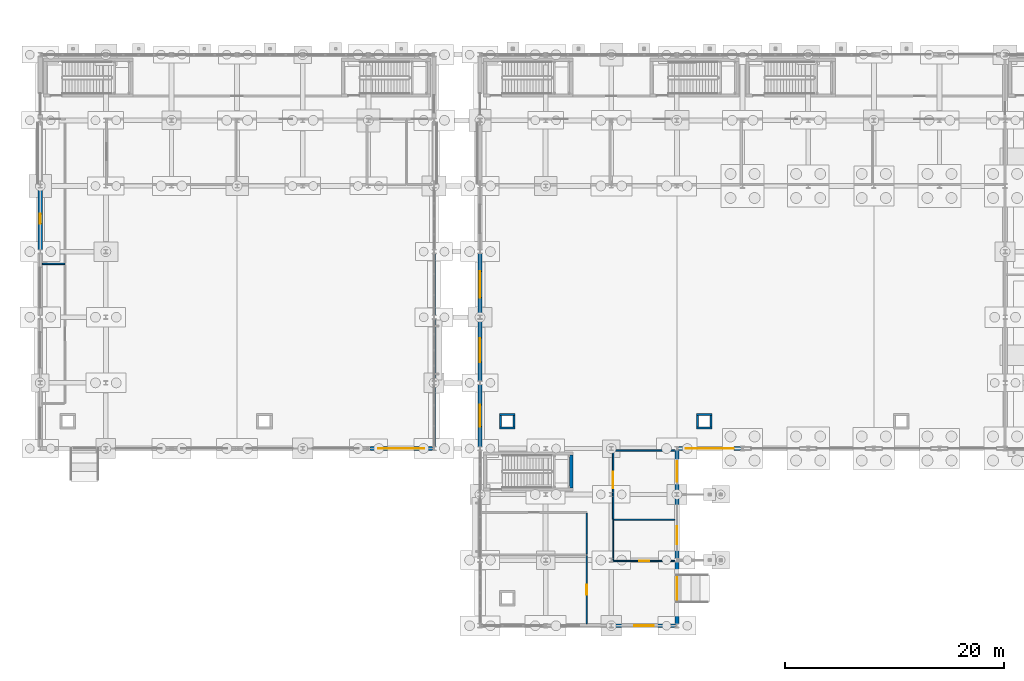
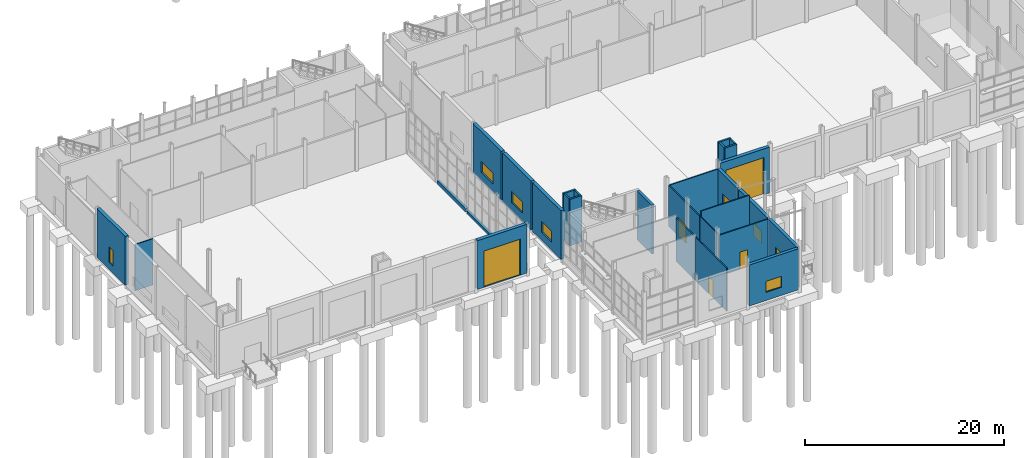
# One storey, part 93 of 120: 30 walls, 7 windows, 6 doors, 13 openings.
"""IFC4 building model written with IfcOpenShell, lengths in metres."""

from ifc_helpers import new_model, si_unit, direction, frame, frame_2d, origin, place, context, subcontext, project, spatial, rectangle, extrude, material, layer, layer_set, type_object, element, fill, save


model = new_model("IFC4")

# Units and contexts
model_context = context("Model", 3, precision=1e-05, world=origin(), true_north=direction((0.0, 1.0)))
body_context = subcontext(model_context, "Body", "Model", "MODEL_VIEW")
ifc_project = project(units=[si_unit("LENGTHUNIT", "METRE"), si_unit("AREAUNIT", "SQUARE_METRE"), si_unit("VOLUMEUNIT", "CUBIC_METRE"), si_unit("PLANEANGLEUNIT", "RADIAN"), si_unit("MASSUNIT", "GRAM", prefix="KILO")], contexts=[model_context])

# Site, building, storey
site_placement = place(None, origin())
site = spatial("IfcSite", under=ifc_project, at=site_placement, CompositionType="ELEMENT")
building_placement = place(site_placement, origin())
building = spatial("IfcBuilding", under=site, at=building_placement, Name="Siltcreek Boulevard Central Fire Station", CompositionType="ELEMENT")
storey_placement = place(building_placement, origin())
storey = spatial("IfcBuildingStorey", under=building, at=storey_placement, Name="L01", CompositionType="ELEMENT", Elevation=0.0)

# Wall
ifc_material_1 = material(Name="Concrete C40/50", Category="concrete")
ifc_layer_1 = layer(ifc_material_1, 0.280029296875, Name="Concrete C40/50")
ifc_layer_set_1 = layer_set([ifc_layer_1], Name="Concrete C40/50")
wall_type_1 = type_object("IfcWallType", Name="CW_SHEAR280", PredefinedType="SHEAR", material=ifc_layer_set_1)
wall_1_placement = place(storey_placement, frame((50.340087890625, 14.39990234375, 0.0), z_axis=(0.0, 0.0, 1.0), x_axis=(0.0, 1.0, 0.0)))
element("IfcWall", 1, at=wall_1_placement, inside=storey, type_object=wall_type_1, Name="L01 ST-V1P stair enclosure east shear wall", PredefinedType="SHEAR", context=body_context, shape_type="SweptSolid", body=[
    extrude(rectangle(XDim=3.0, YDim=0.280029296875, at=frame_2d((1.5, 0.0))), origin(), (0.0, 0.0, 1.0), 6.0),
])

# Wall, opening, window
ifc_material_2 = material(Name="Terracotta brick rainscreen on steel stud", Category="masonry")
ifc_layer_2 = layer(ifc_material_2, 0.35009765625, Name="Terracotta brick rainscreen on steel stud")
ifc_layer_set_2 = layer_set([ifc_layer_2], Name="Terracotta brick rainscreen on steel stud")
wall_type_2 = type_object("IfcWallType", Name="EW_BRICK350", PredefinedType="STANDARD", material=ifc_layer_set_2)
wall_2_placement = place(storey_placement, frame((54.14501953125, 1.800048828125, 0.0), z_axis=(0.0, 0.0, 1.0), x_axis=(1.0, 0.0, 0.0)))
wall_2 = element("IfcWall", 2, at=wall_2_placement, inside=storey, type_object=wall_type_2, Name="L01 V1 exterior insulated rainscreen wall WL-EXT-L01-0003", PredefinedType="STANDARD", context=body_context, shape_type="SweptSolid", body=[
    extrude(rectangle(XDim=5.7099609375, YDim=0.35009765625, at=frame_2d((2.85498046875, 0.0))), origin(), (0.0, 0.0, 1.0), 5.034912109375),
])
opening_1_placement = place(wall_2_placement, frame((1.955078125, 0.0, 1.0)))
opening_1 = element("IfcOpeningElement", 3, at=opening_1_placement, cuts=wall_2, Name="Opening WN08", PredefinedType="OPENING", context=body_context, shape_type="SweptSolid", body=[
    extrude(rectangle(XDim=1.800048828125, YDim=1.360107421875, at=frame_2d((0.89990234375, 0.68017578125))), frame((0.0, 0.18505859375, 0.0), z_axis=(0.0, -1.0, 0.0), x_axis=(1.0, 0.0, 0.0)), (0.0, 0.0, 1.0), 0.3701171875),
])
ifc_material_3 = material(Name="Thermally broken aluminum frame with low-E insulated glass", Category="aluminium")
window_type_1 = type_object("IfcWindowType", Name="WN_PB_180X136", PartitioningType="SINGLE_PANEL", PredefinedType="WINDOW", material=ifc_material_3)
window_1_placement = place(opening_1_placement, origin())
window_1 = element("IfcWindow", 4, at=window_1_placement, inside=storey, type_object=window_type_1, Name="L01 V1 exterior window WN-0002", OverallHeight=1.360107421875, OverallWidth=1.800048828125, PartitioningType="SINGLE_PANEL", PredefinedType="WINDOW", context=body_context, shape_type="SweptSolid", body=[
    extrude(rectangle(XDim=1.800048828125, YDim=1.360107421875, at=frame_2d((0.89990234375, 0.68017578125))), frame((0.0, 0.030029296875, 0.0), z_axis=(0.0, -1.0, 0.0), x_axis=(1.0, 0.0, 0.0)), (0.0, 0.0, 1.0), 0.06005859375),
])
fill(opening_1, window_1)

# Wall, opening, door
wall_3_placement = place(storey_placement, frame((60.0, 1.945068359375, 0.0), z_axis=(0.0, 0.0, 1.0), x_axis=(0.0, 1.0, 0.0)))
wall_3 = element("IfcWall", 5, at=wall_3_placement, inside=storey, type_object=wall_type_2, Name="L01 V1 exterior insulated rainscreen wall WL-EXT-L01-0026", PredefinedType="STANDARD", context=body_context, shape_type="SweptSolid", body=[
    extrude(rectangle(XDim=5.7099609375, YDim=0.35009765625, at=frame_2d((2.85498046875, 0.0))), origin(), (0.0, 0.0, 1.0), 5.0439453125),
])
opening_2_placement = place(wall_3_placement, frame((2.22998046875, 0.0, 0.0)))
opening_2 = element("IfcOpeningElement", 6, at=opening_2_placement, cuts=wall_3, Name="Opening ED-109", PredefinedType="OPENING", context=body_context, shape_type="SweptSolid", body=[
    extrude(rectangle(XDim=2.050048828125, YDim=2.449951171875, at=frame_2d((1.02490234375, 1.22509765625))), frame((0.0, 0.18505859375, 0.0), z_axis=(0.0, -1.0, 0.0), x_axis=(1.0, 0.0, 0.0)), (0.0, 0.0, 1.0), 0.3701171875),
])
ifc_material_4 = material(Name="Anodized aluminum glazed main entrance pair", Category="aluminium")
door_type_1 = type_object("IfcDoorType", Name="DR_EXT_205X245", OperationType="NOTDEFINED", PredefinedType="DOOR", material=ifc_material_4)
door_1_placement = place(opening_2_placement, frame((2.050048828125, 0.0, 0.0), z_axis=(0.0, 0.0, 1.0), x_axis=(-1.0, 0.0, 0.0)))
door_1 = element("IfcDoor", 7, at=door_1_placement, inside=storey, type_object=door_type_1, Name="Ground level pedestrian final exit door ED-109", OperationType="DOUBLE_DOOR_SINGLE_SWING", OverallHeight=2.449951171875, OverallWidth=2.050048828125, PredefinedType="DOOR", context=body_context, shape_type="SweptSolid", body=[
    extrude(rectangle(XDim=2.050048828125, YDim=2.449951171875, at=frame_2d((1.02490234375, 1.22509765625))), frame((0.0, 0.02490234375, 0.0), z_axis=(0.0, -1.0, 0.0), x_axis=(1.0, 0.0, 0.0)), (0.0, 0.0, 1.0), 0.050048828125),
])
fill(opening_2, door_1)

# Wall, opening, window
wall_4_placement = place(storey_placement, frame((60.0, 7.945068359375, 0.0), z_axis=(0.0, 0.0, 1.0), x_axis=(0.0, 1.0, 0.0)))
wall_4 = element("IfcWall", 8, at=wall_4_placement, inside=storey, type_object=wall_type_2, Name="L01 V1 exterior insulated rainscreen wall WL-EXT-L01-0027", PredefinedType="STANDARD", context=body_context, shape_type="SweptSolid", body=[
    extrude(rectangle(XDim=5.7099609375, YDim=0.35009765625, at=frame_2d((2.85498046875, 0.0))), origin(), (0.0, 0.0, 1.0), 5.0439453125),
])
opening_3_placement = place(wall_4_placement, frame((1.290771484375, 0.0, 1.0)))
opening_3 = element("IfcOpeningElement", 9, at=opening_3_placement, cuts=wall_4, Name="Opening WN13", PredefinedType="OPENING", context=body_context, shape_type="SweptSolid", body=[
    extrude(rectangle(XDim=1.64990234375, YDim=1.550048828125, at=frame_2d((0.824951171875, 0.77490234375))), frame((0.0, 0.18505859375, 0.0), z_axis=(0.0, -1.0, 0.0), x_axis=(1.0, 0.0, 0.0)), (0.0, 0.0, 1.0), 0.3701171875),
])
window_type_2 = type_object("IfcWindowType", Name="WN_PB_165X155", PartitioningType="SINGLE_PANEL", PredefinedType="WINDOW", material=ifc_material_3)
window_2_placement = place(opening_3_placement, origin())
window_2 = element("IfcWindow", 10, at=window_2_placement, inside=storey, type_object=window_type_2, Name="L01 V1 exterior window WN-0007", OverallHeight=1.550048828125, OverallWidth=1.64990234375, PartitioningType="SINGLE_PANEL", PredefinedType="WINDOW", context=body_context, shape_type="SweptSolid", body=[
    extrude(rectangle(XDim=1.64990234375, YDim=1.550048828125, at=frame_2d((0.824951171875, 0.77490234375))), frame((0.0, 0.030029296875, 0.0), z_axis=(0.0, -1.0, 0.0), x_axis=(1.0, 0.0, 0.0)), (0.0, 0.0, 1.0), 0.06005859375),
])
fill(opening_3, window_2)

wall_5_placement = place(storey_placement, frame((60.0, 13.945068359375, 0.0), z_axis=(0.0, 0.0, 1.0), x_axis=(0.0, 1.0, 0.0)))
wall_5 = element("IfcWall", 11, at=wall_5_placement, inside=storey, type_object=wall_type_2, Name="L01 V1 exterior insulated rainscreen wall WL-EXT-L01-0028", PredefinedType="STANDARD", context=body_context, shape_type="SweptSolid", body=[
    extrude(rectangle(XDim=3.909912109375, YDim=0.35009765625, at=frame_2d((1.955078125, 0.0))), origin(), (0.0, 0.0, 1.0), 5.0439453125),
])
opening_4_placement = place(wall_5_placement, frame((1.030029296875, 0.0, 1.0)))
opening_4 = element("IfcOpeningElement", 12, at=opening_4_placement, cuts=wall_5, Name="Opening WN14", PredefinedType="OPENING", context=body_context, shape_type="SweptSolid", body=[
    extrude(rectangle(XDim=1.85009765625, YDim=1.550048828125, at=frame_2d((0.925048828125, 0.77490234375))), frame((0.0, 0.18505859375, 0.0), z_axis=(0.0, -1.0, 0.0), x_axis=(1.0, 0.0, 0.0)), (0.0, 0.0, 1.0), 0.3701171875),
])
window_type_3 = type_object("IfcWindowType", Name="WN_PB_185X155", PartitioningType="SINGLE_PANEL", PredefinedType="WINDOW", material=ifc_material_3)
window_3_placement = place(opening_4_placement, origin())
window_3 = element("IfcWindow", 13, at=window_3_placement, inside=storey, type_object=window_type_3, Name="L01 V1 exterior window WN-0008", OverallHeight=1.550048828125, OverallWidth=1.85009765625, PartitioningType="SINGLE_PANEL", PredefinedType="WINDOW", context=body_context, shape_type="SweptSolid", body=[
    extrude(rectangle(XDim=1.85009765625, YDim=1.550048828125, at=frame_2d((0.925048828125, 0.77490234375))), frame((0.0, 0.030029296875, 0.0), z_axis=(0.0, -1.0, 0.0), x_axis=(1.0, 0.0, 0.0)), (0.0, 0.0, 1.0), 0.06005859375),
])
fill(opening_4, window_3)

# Wall, opening, door
ifc_material_5 = material(Name="Terracotta brick rainscreen on insulated CMU", Category="masonry")
ifc_layer_3 = layer(ifc_material_5, 0.389892578125, Name="Terracotta brick rainscreen on insulated CMU")
ifc_layer_set_3 = layer_set([ifc_layer_3], Name="Terracotta brick rainscreen on insulated CMU")
wall_type_3 = type_object("IfcWallType", Name="EW_BRICK390", PredefinedType="STANDARD", material=ifc_layer_set_3)
wall_6_placement = place(storey_placement, frame((60.14501953125, 18.0, 0.0), z_axis=(0.0, 0.0, 1.0), x_axis=(1.0, 0.0, 0.0)))
wall_6 = element("IfcWall", 14, at=wall_6_placement, inside=storey, type_object=wall_type_3, Name="L01 V1 exterior insulated rainscreen wall WL-EXT-L01-0004", PredefinedType="STANDARD", context=body_context, shape_type="SweptSolid", body=[
    extrude(rectangle(XDim=5.7099609375, YDim=0.389892578125, at=frame_2d((2.85498046875, 0.0))), origin(), (0.0, 0.0, 1.0), 5.618896484375),
])
opening_5_placement = place(wall_6_placement, frame((0.655029296875, 0.0, 0.0)))
opening_5 = element("IfcOpeningElement", 15, at=opening_5_placement, cuts=wall_6, Name="Opening ABD-01", PredefinedType="OPENING", context=body_context, shape_type="SweptSolid", body=[
    extrude(rectangle(XDim=4.39990234375, YDim=4.550048828125, at=frame_2d((2.199951171875, 2.27490234375))), frame((0.0, 0.204833984375, 0.0), z_axis=(0.0, -1.0, 0.0), x_axis=(1.0, 0.0, 0.0)), (0.0, 0.0, 1.0), 0.409912109375),
])
ifc_material_6 = material(Name="Aluminum full-vision glazed bi-fold apparatus door", Category="aluminium")
door_type_2 = type_object("IfcDoorType", Name="DR_BAY_440X455", OperationType="NOTDEFINED", PredefinedType="DOOR", material=ifc_material_6)
door_2_placement = place(opening_5_placement, frame((4.39990234375, 0.0, 0.0), z_axis=(0.0, 0.0, 1.0), x_axis=(-1.0, 0.0, 0.0)))
door_2 = element("IfcDoor", 16, at=door_2_placement, inside=storey, type_object=door_type_2, Name="Apparatus overhead bay door ABD-01", OperationType="FOLDING_TO_LEFT", OverallHeight=4.550048828125, OverallWidth=4.39990234375, PredefinedType="DOOR", context=body_context, shape_type="SweptSolid", body=[
    extrude(rectangle(XDim=4.39990234375, YDim=4.550048828125, at=frame_2d((2.199951171875, 2.27490234375))), frame((0.0, 0.02490234375, 0.0), z_axis=(0.0, -1.0, 0.0), x_axis=(1.0, 0.0, 0.0)), (0.0, 0.0, 1.0), 0.050048828125),
])
fill(opening_5, door_2)

# Wall, opening, window
wall_7_placement = place(storey_placement, frame((42.0, 23.85498046875, 0.0), z_axis=(0.0, 0.0, 1.0), x_axis=(0.0, -1.0, 0.0)))
wall_7 = element("IfcWall", 17, at=wall_7_placement, inside=storey, type_object=wall_type_3, Name="L01 V1 exterior insulated rainscreen wall WL-EXT-L01-0020", PredefinedType="STANDARD", context=body_context, shape_type="SweptSolid", body=[
    extrude(rectangle(XDim=5.7099609375, YDim=0.389892578125, at=frame_2d((2.85498046875, 0.0))), origin(), (0.0, 0.0, 1.0), 6.0),
])
opening_6_placement = place(wall_7_placement, frame((1.85498046875, 0.0, 1.0)))
opening_6 = element("IfcOpeningElement", 18, at=opening_6_placement, cuts=wall_7, Name="Opening WN09", PredefinedType="OPENING", context=body_context, shape_type="SweptSolid", body=[
    extrude(rectangle(XDim=2.0, YDim=1.360107421875, at=frame_2d((1.0, 0.68017578125))), frame((0.0, 0.204833984375, 0.0), z_axis=(0.0, -1.0, 0.0), x_axis=(1.0, 0.0, 0.0)), (0.0, 0.0, 1.0), 0.409912109375),
])
window_type_4 = type_object("IfcWindowType", Name="WN_PB_200X136", PartitioningType="SINGLE_PANEL", PredefinedType="WINDOW", material=ifc_material_3)
window_4_placement = place(opening_6_placement, origin())
window_4 = element("IfcWindow", 19, at=window_4_placement, inside=storey, type_object=window_type_4, Name="L01 V1 exterior window WN-0003", OverallHeight=1.360107421875, OverallWidth=2.0, PartitioningType="SINGLE_PANEL", PredefinedType="WINDOW", context=body_context, shape_type="SweptSolid", body=[
    extrude(rectangle(XDim=2.0, YDim=1.360107421875, at=frame_2d((1.0, 0.68017578125))), frame((0.0, 0.030029296875, 0.0), z_axis=(0.0, -1.0, 0.0), x_axis=(1.0, 0.0, 0.0)), (0.0, 0.0, 1.0), 0.06005859375),
])
fill(opening_6, window_4)

wall_8_placement = place(storey_placement, frame((42.0, 29.85498046875, 0.0), z_axis=(0.0, 0.0, 1.0), x_axis=(0.0, -1.0, 0.0)))
wall_8 = element("IfcWall", 20, at=wall_8_placement, inside=storey, type_object=wall_type_3, Name="L01 V1 exterior insulated rainscreen wall WL-EXT-L01-0021", PredefinedType="STANDARD", context=body_context, shape_type="SweptSolid", body=[
    extrude(rectangle(XDim=5.7099609375, YDim=0.389892578125, at=frame_2d((2.85498046875, 0.0))), origin(), (0.0, 0.0, 1.0), 6.0),
])
opening_7_placement = place(wall_8_placement, frame((1.7548828125, 0.0, 1.0)))
opening_7 = element("IfcOpeningElement", 21, at=opening_7_placement, cuts=wall_8, Name="Opening WN10", PredefinedType="OPENING", context=body_context, shape_type="SweptSolid", body=[
    extrude(rectangle(XDim=2.199951171875, YDim=1.360107421875, at=frame_2d((1.10009765625, 0.68017578125))), frame((0.0, 0.204833984375, 0.0), z_axis=(0.0, -1.0, 0.0), x_axis=(1.0, 0.0, 0.0)), (0.0, 0.0, 1.0), 0.409912109375),
])
window_type_5 = type_object("IfcWindowType", Name="WN_PB_220X136", PartitioningType="SINGLE_PANEL", PredefinedType="WINDOW", material=ifc_material_3)
window_5_placement = place(opening_7_placement, origin())
window_5 = element("IfcWindow", 22, at=window_5_placement, inside=storey, type_object=window_type_5, Name="L01 V1 exterior window WN-0004", OverallHeight=1.360107421875, OverallWidth=2.199951171875, PartitioningType="SINGLE_PANEL", PredefinedType="WINDOW", context=body_context, shape_type="SweptSolid", body=[
    extrude(rectangle(XDim=2.199951171875, YDim=1.360107421875, at=frame_2d((1.10009765625, 0.68017578125))), frame((0.0, 0.030029296875, 0.0), z_axis=(0.0, -1.0, 0.0), x_axis=(1.0, 0.0, 0.0)), (0.0, 0.0, 1.0), 0.06005859375),
])
fill(opening_7, window_5)

wall_9_placement = place(storey_placement, frame((42.0, 35.85498046875, 0.0), z_axis=(0.0, 0.0, 1.0), x_axis=(0.0, -1.0, 0.0)))
wall_9 = element("IfcWall", 23, at=wall_9_placement, inside=storey, type_object=wall_type_3, Name="L01 V1 exterior insulated rainscreen wall WL-EXT-L01-0022", PredefinedType="STANDARD", context=body_context, shape_type="SweptSolid", body=[
    extrude(rectangle(XDim=5.7099609375, YDim=0.389892578125, at=frame_2d((2.85498046875, 0.0))), origin(), (0.0, 0.0, 1.0), 6.0),
])
opening_8_placement = place(wall_9_placement, frame((1.655029296875, 0.0, 1.0)))
opening_8 = element("IfcOpeningElement", 24, at=opening_8_placement, cuts=wall_9, Name="Opening WN11", PredefinedType="OPENING", context=body_context, shape_type="SweptSolid", body=[
    extrude(rectangle(XDim=2.39990234375, YDim=1.360107421875, at=frame_2d((1.199951171875, 0.68017578125))), frame((0.0, 0.204833984375, 0.0), z_axis=(0.0, -1.0, 0.0), x_axis=(1.0, 0.0, 0.0)), (0.0, 0.0, 1.0), 0.409912109375),
])
window_type_6 = type_object("IfcWindowType", Name="WN_PB_240X136", PartitioningType="SINGLE_PANEL", PredefinedType="WINDOW", material=ifc_material_3)
window_6_placement = place(opening_8_placement, origin())
window_6 = element("IfcWindow", 25, at=window_6_placement, inside=storey, type_object=window_type_6, Name="L01 V1 exterior window WN-0005", OverallHeight=1.360107421875, OverallWidth=2.39990234375, PartitioningType="SINGLE_PANEL", PredefinedType="WINDOW", context=body_context, shape_type="SweptSolid", body=[
    extrude(rectangle(XDim=2.39990234375, YDim=1.360107421875, at=frame_2d((1.199951171875, 0.68017578125))), frame((0.0, 0.030029296875, 0.0), z_axis=(0.0, -1.0, 0.0), x_axis=(1.0, 0.0, 0.0)), (0.0, 0.0, 1.0), 0.06005859375),
])
fill(opening_8, window_6)

# Wall, opening, door
wall_10_placement = place(storey_placement, frame((31.945068359375, 18.0, 0.0), z_axis=(0.0, 0.0, 1.0), x_axis=(1.0, 0.0, 0.0)))
wall_10 = element("IfcWall", 26, at=wall_10_placement, inside=storey, type_object=wall_type_3, Name="L01 V4 exterior insulated rainscreen wall WL-EXT-L01-0228", PredefinedType="STANDARD", context=body_context, shape_type="SweptSolid", body=[
    extrude(rectangle(XDim=5.7099609375, YDim=0.389892578125, at=frame_2d((2.85498046875, 0.0))), origin(), (0.0, 0.0, 1.0), 6.0),
])
opening_9_placement = place(wall_10_placement, frame((0.7548828125, 0.0, 0.0)))
opening_9 = element("IfcOpeningElement", 27, at=opening_9_placement, cuts=wall_10, Name="Opening FBD-23", PredefinedType="OPENING", context=body_context, shape_type="SweptSolid", body=[
    extrude(rectangle(XDim=4.199951171875, YDim=4.449951171875, at=frame_2d((2.10009765625, 2.22509765625))), frame((0.0, 0.204833984375, 0.0), z_axis=(0.0, -1.0, 0.0), x_axis=(1.0, 0.0, 0.0)), (0.0, 0.0, 1.0), 0.409912109375),
])
ifc_material_7 = material(Name="Insulated glazed sectional fleet bay door")
door_type_3 = type_object("IfcDoorType", Name="DR_BAY_420X445", OperationType="NOTDEFINED", PredefinedType="DOOR", material=ifc_material_7)
door_3_placement = place(opening_9_placement, frame((4.199951171875, 0.0, 0.0), z_axis=(0.0, 0.0, 1.0), x_axis=(-1.0, 0.0, 0.0)))
door_3 = element("IfcDoor", 28, at=door_3_placement, inside=storey, type_object=door_type_3, Name="Fleet overhead vehicle bay door FBD-23", OperationType="ROLLINGUP", OverallHeight=4.449951171875, OverallWidth=4.199951171875, PredefinedType="DOOR", context=body_context, shape_type="SweptSolid", body=[
    extrude(rectangle(XDim=4.199951171875, YDim=4.449951171875, at=frame_2d((2.10009765625, 2.22509765625))), frame((0.0, 0.02490234375, 0.0), z_axis=(0.0, -1.0, 0.0), x_axis=(1.0, 0.0, 0.0)), (0.0, 0.0, 1.0), 0.050048828125),
])
fill(opening_9, door_3)

# Wall, opening, window
wall_11_placement = place(storey_placement, frame((1.800048828125, 41.85498046875, 0.0), z_axis=(0.0, 0.0, 1.0), x_axis=(0.0, -1.0, 0.0)))
wall_11 = element("IfcWall", 29, at=wall_11_placement, inside=storey, type_object=wall_type_3, Name="L01 V4 exterior insulated rainscreen wall WL-EXT-L01-0238", PredefinedType="STANDARD", context=body_context, shape_type="SweptSolid", body=[
    extrude(rectangle(XDim=5.7099609375, YDim=0.389892578125, at=frame_2d((2.85498046875, 0.0))), origin(), (0.0, 0.0, 1.0), 6.0),
])
opening_10_placement = place(wall_11_placement, frame((2.4150390625, 0.0, 0.85009765625)))
opening_10 = element("IfcOpeningElement", 30, at=opening_10_placement, cuts=wall_11, Name="Opening WN35", PredefinedType="OPENING", context=body_context, shape_type="SweptSolid", body=[
    extrude(rectangle(XDim=0.8798828125, YDim=1.949951171875, at=frame_2d((0.43994140625, 0.97509765625))), frame((0.0, 0.204833984375, 0.0), z_axis=(0.0, -1.0, 0.0), x_axis=(1.0, 0.0, 0.0)), (0.0, 0.0, 1.0), 0.409912109375),
])
window_type_7 = type_object("IfcWindowType", Name="WN_VT_088X195", PartitioningType="SINGLE_PANEL", PredefinedType="WINDOW", material=ifc_material_3)
window_7_placement = place(opening_10_placement, origin())
window_7 = element("IfcWindow", 31, at=window_7_placement, inside=storey, type_object=window_type_7, Name="L01 V4 exterior window WN-0102", OverallHeight=1.949951171875, OverallWidth=0.8798828125, PartitioningType="SINGLE_PANEL", PredefinedType="WINDOW", context=body_context, shape_type="SweptSolid", body=[
    extrude(rectangle(XDim=0.8798828125, YDim=1.949951171875, at=frame_2d((0.43994140625, 0.97509765625))), frame((0.0, 0.030029296875, 0.0), z_axis=(0.0, -1.0, 0.0), x_axis=(1.0, 0.0, 0.0)), (0.0, 0.0, 1.0), 0.06005859375),
])
fill(opening_10, window_7)

# Walls
ifc_material_8 = material(Name="White ribbed aluminum spandrel wall", Category="aluminium")
ifc_layer_4 = layer(ifc_material_8, 0.2900390625, Name="White ribbed aluminum spandrel wall")
ifc_layer_set_4 = layer_set([ifc_layer_4], Name="White ribbed aluminum spandrel wall")
wall_type_4 = type_object("IfcWallType", Name="EW_METAL290", PredefinedType="STANDARD", material=ifc_layer_set_4)
wall_12_placement = place(storey_placement, frame((37.800048828125, 18.14501953125, 0.0), z_axis=(0.0, 0.0, 1.0), x_axis=(0.0, 1.0, 0.0)))
element("IfcWall", 32, at=wall_12_placement, inside=storey, type_object=wall_type_4, Name="L01 V4 curtain-wall sill spandrel 0241", PredefinedType="STANDARD", context=body_context, shape_type="SweptSolid", body=[
    extrude(rectangle(XDim=5.7099609375, YDim=0.2900390625, at=frame_2d((2.85498046875, 0.0))), origin(), (0.0, 0.0, 1.0), 0.919921875),
])
wall_13_placement = place(storey_placement, frame((37.800048828125, 24.14501953125, 0.0), z_axis=(0.0, 0.0, 1.0), x_axis=(0.0, 1.0, 0.0)))
element("IfcWall", 33, at=wall_13_placement, inside=storey, type_object=wall_type_4, Name="L01 V4 curtain-wall sill spandrel 0242", PredefinedType="STANDARD", context=body_context, shape_type="SweptSolid", body=[
    extrude(rectangle(XDim=5.7099609375, YDim=0.2900390625, at=frame_2d((2.85498046875, 0.0))), origin(), (0.0, 0.0, 1.0), 0.320068359375),
])
wall_14_placement = place(storey_placement, frame((37.800048828125, 30.14501953125, 0.0), z_axis=(0.0, 0.0, 1.0), x_axis=(0.0, 1.0, 0.0)))
element("IfcWall", 34, at=wall_14_placement, inside=storey, type_object=wall_type_4, Name="L01 V4 curtain-wall sill spandrel 0243", PredefinedType="STANDARD", context=body_context, shape_type="SweptSolid", body=[
    extrude(rectangle(XDim=5.7099609375, YDim=0.2900390625, at=frame_2d((2.85498046875, 0.0))), origin(), (0.0, 0.0, 1.0), 0.43994140625),
])
ifc_material_9 = material(Name="Fire-rated concrete masonry and gypsum barrier", Category="masonry")
ifc_layer_5 = layer(ifc_material_9, 0.199951171875, Name="Fire-rated concrete masonry and gypsum barrier")
ifc_layer_set_5 = layer_set([ifc_layer_5], Name="Fire-rated concrete masonry and gypsum barrier")
wall_type_5 = type_object("IfcWallType", Name="IW_FIRE200", PredefinedType="PARTITIONING", material=ifc_layer_set_5)
wall_15_placement = place(storey_placement, frame((43.784912109375, 19.885009765625, 0.0), z_axis=(0.0, 0.0, 1.0), x_axis=(1.0, 0.0, 0.0)))
element("IfcWall", 35, at=wall_15_placement, inside=storey, type_object=wall_type_5, Name="L01 enclosed MEP service riser wall 007-S", PredefinedType="PARTITIONING", context=body_context, shape_type="SweptSolid", body=[
    extrude(rectangle(XDim=1.43017578125, YDim=0.199951171875, at=frame_2d((0.715087890625, 0.0))), origin(), (0.0, 0.0, 1.0), 5.679931640625),
])
wall_16_placement = place(storey_placement, frame((45.114990234375, 19.985107421875, 0.0), z_axis=(0.0, 0.0, 1.0), x_axis=(0.0, 1.0, 0.0)))
element("IfcWall", 36, at=wall_16_placement, inside=storey, type_object=wall_type_5, Name="L01 enclosed MEP service riser wall 007-E", PredefinedType="PARTITIONING", context=body_context, shape_type="SweptSolid", body=[
    extrude(rectangle(XDim=1.02978515625, YDim=0.199951171875, at=frame_2d((0.514892578125, 0.0))), origin(), (0.0, 0.0, 1.0), 5.679931640625),
])
wall_17_placement = place(storey_placement, frame((45.215087890625, 21.114990234375, 0.0), z_axis=(0.0, 0.0, 1.0), x_axis=(-1.0, 0.0, 0.0)))
element("IfcWall", 37, at=wall_17_placement, inside=storey, type_object=wall_type_5, Name="L01 enclosed MEP service riser wall 007-N", PredefinedType="PARTITIONING", context=body_context, shape_type="SweptSolid", body=[
    extrude(rectangle(XDim=1.43017578125, YDim=0.199951171875, at=frame_2d((0.715087890625, 0.0))), origin(), (0.0, 0.0, 1.0), 5.679931640625),
])
wall_18_placement = place(storey_placement, frame((43.885009765625, 21.014892578125, 0.0), z_axis=(0.0, 0.0, 1.0), x_axis=(0.0, -1.0, 0.0)))
element("IfcWall", 38, at=wall_18_placement, inside=storey, type_object=wall_type_5, Name="L01 enclosed MEP service riser wall 007-W", PredefinedType="PARTITIONING", context=body_context, shape_type="SweptSolid", body=[
    extrude(rectangle(XDim=1.02978515625, YDim=0.199951171875, at=frame_2d((0.514892578125, 0.0))), origin(), (0.0, 0.0, 1.0), 5.679931640625),
])
wall_19_placement = place(storey_placement, frame((61.784912109375, 19.885009765625, 0.0), z_axis=(0.0, 0.0, 1.0), x_axis=(1.0, 0.0, 0.0)))
element("IfcWall", 39, at=wall_19_placement, inside=storey, type_object=wall_type_5, Name="L01 enclosed MEP service riser wall 009-S", PredefinedType="PARTITIONING", context=body_context, shape_type="SweptSolid", body=[
    extrude(rectangle(XDim=1.43017578125, YDim=0.199951171875, at=frame_2d((0.715087890625, 0.0))), origin(), (0.0, 0.0, 1.0), 5.679931640625),
])
wall_20_placement = place(storey_placement, frame((63.114990234375, 19.985107421875, 0.0), z_axis=(0.0, 0.0, 1.0), x_axis=(0.0, 1.0, 0.0)))
element("IfcWall", 40, at=wall_20_placement, inside=storey, type_object=wall_type_5, Name="L01 enclosed MEP service riser wall 009-E", PredefinedType="PARTITIONING", context=body_context, shape_type="SweptSolid", body=[
    extrude(rectangle(XDim=1.02978515625, YDim=0.199951171875, at=frame_2d((0.514892578125, 0.0))), origin(), (0.0, 0.0, 1.0), 5.679931640625),
])
wall_21_placement = place(storey_placement, frame((63.215087890625, 21.114990234375, 0.0), z_axis=(0.0, 0.0, 1.0), x_axis=(-1.0, 0.0, 0.0)))
element("IfcWall", 41, at=wall_21_placement, inside=storey, type_object=wall_type_5, Name="L01 enclosed MEP service riser wall 009-N", PredefinedType="PARTITIONING", context=body_context, shape_type="SweptSolid", body=[
    extrude(rectangle(XDim=1.43017578125, YDim=0.199951171875, at=frame_2d((0.715087890625, 0.0))), origin(), (0.0, 0.0, 1.0), 5.679931640625),
])
wall_22_placement = place(storey_placement, frame((61.885009765625, 21.014892578125, 0.0), z_axis=(0.0, 0.0, 1.0), x_axis=(0.0, -1.0, 0.0)))
element("IfcWall", 42, at=wall_22_placement, inside=storey, type_object=wall_type_5, Name="L01 enclosed MEP service riser wall 009-W", PredefinedType="PARTITIONING", context=body_context, shape_type="SweptSolid", body=[
    extrude(rectangle(XDim=1.02978515625, YDim=0.199951171875, at=frame_2d((0.514892578125, 0.0))), origin(), (0.0, 0.0, 1.0), 5.679931640625),
])
ifc_material_10 = material(Name="Interior steel stud gypsum partition", Category="steel")
ifc_layer_6 = layer(ifc_material_10, 0.125, Name="Interior steel stud gypsum partition")
ifc_layer_set_6 = layer_set([ifc_layer_6], Name="Interior steel stud gypsum partition")
wall_type_6 = type_object("IfcWallType", Name="IW_PART125", PredefinedType="PARTITIONING", material=ifc_layer_set_6)
wall_23_placement = place(storey_placement, frame((1.9951171875, 34.8798828125, 0.0), z_axis=(0.0, 0.0, 1.0), x_axis=(1.0, 0.0, 0.0)))
element("IfcWall", 43, at=wall_23_placement, inside=storey, type_object=wall_type_6, Name="L01 Fleet Diagnostic Workshop partition 0015", PredefinedType="PARTITIONING", context=body_context, shape_type="SweptSolid", body=[
    extrude(rectangle(XDim=2.0673828125, YDim=0.125, at=frame_2d((1.03369140625, 0.0))), origin(), (0.0, 0.0, 1.0), 5.679931640625),
])

# Wall, opening, door
wall_24_placement = place(storey_placement, frame((51.760009765625, 8.217529296875, 0.0), z_axis=(0.0, 0.0, 1.0), x_axis=(0.0, -1.0, 0.0)))
wall_24 = element("IfcWall", 44, at=wall_24_placement, inside=storey, type_object=wall_type_6, Name="L01 Watch Room and Station Alerting Desk partition 0034", PredefinedType="PARTITIONING", context=body_context, shape_type="SweptSolid", body=[
    extrude(rectangle(XDim=6.242431640625, YDim=0.125, at=frame_2d((3.12109375, 0.0))), origin(), (0.0, 0.0, 1.0), 5.2939453125),
])
opening_11_placement = place(wall_24_placement, frame((2.671142578125, 0.0, 0.0)))
opening_11 = element("IfcOpeningElement", 45, at=opening_11_placement, cuts=wall_24, Name="Opening ID08", PredefinedType="OPENING", context=body_context, shape_type="SweptSolid", body=[
    extrude(rectangle(XDim=0.89990234375, YDim=2.10009765625, at=frame_2d((0.449951171875, 1.050048828125))), frame((0.0, 0.072509765625, 0.0), z_axis=(0.0, -1.0, 0.0), x_axis=(1.0, 0.0, 0.0)), (0.0, 0.0, 1.0), 0.14501953125),
])
ifc_material_11 = material(Name="Moisture-resistant accessible toilet door")
door_type_4 = type_object("IfcDoorType", Name="DR_WC_090X210", OperationType="NOTDEFINED", PredefinedType="DOOR", material=ifc_material_11)
door_4_placement = place(opening_11_placement, frame((0.89990234375, 0.0, 0.0), z_axis=(0.0, 0.0, 1.0), x_axis=(-1.0, 0.0, 0.0)))
door_4 = element("IfcDoor", 46, at=door_4_placement, inside=storey, type_object=door_type_4, Name="L01 Watch Room and Station Alerting Desk door ID-0015", OperationType="SINGLE_SWING_RIGHT", OverallHeight=2.10009765625, OverallWidth=0.89990234375, PredefinedType="DOOR", context=body_context, shape_type="SweptSolid", body=[
    extrude(rectangle(XDim=0.89990234375, YDim=2.10009765625, at=frame_2d((0.449951171875, 1.050048828125))), frame((0.0, 0.02490234375, 0.0), z_axis=(0.0, -1.0, 0.0), x_axis=(1.0, 0.0, 0.0)), (0.0, 0.0, 1.0), 0.050048828125),
])
fill(opening_11, door_4)

# Wall
wall_25_placement = place(storey_placement, frame((51.760009765625, 12.097412109375, 0.0), z_axis=(0.0, 0.0, 1.0), x_axis=(0.0, -1.0, 0.0)))
element("IfcWall", 47, at=wall_25_placement, inside=storey, type_object=wall_type_6, Name="L01 Walk-In Triage Aid Room partition 0036", PredefinedType="PARTITIONING", context=body_context, shape_type="SweptSolid", body=[
    extrude(rectangle(XDim=3.7548828125, YDim=0.125, at=frame_2d((1.87744140625, 0.0))), origin(), (0.0, 0.0, 1.0), 5.339111328125),
])

# Wall, opening, door
wall_26_placement = place(storey_placement, frame((54.169921875, 11.534912109375, 0.0), z_axis=(0.0, 0.0, 1.0), x_axis=(0.0, 1.0, 0.0)))
wall_26 = element("IfcWall", 48, at=wall_26_placement, inside=storey, type_object=wall_type_6, Name="L01 EMS Triage Supply Room partition 0040", PredefinedType="PARTITIONING", context=body_context, shape_type="SweptSolid", body=[
    extrude(rectangle(XDim=6.297607421875, YDim=0.125, at=frame_2d((3.14892578125, 0.0))), origin(), (0.0, 0.0, 1.0), 5.0439453125),
])
opening_12_placement = place(wall_26_placement, frame((2.846435546875, 0.0, 0.0)))
opening_12 = element("IfcOpeningElement", 49, at=opening_12_placement, cuts=wall_26, Name="Opening ID14", PredefinedType="OPENING", context=body_context, shape_type="SweptSolid", body=[
    extrude(rectangle(XDim=1.5, YDim=2.219970703125, at=frame_2d((0.75, 1.10986328125))), frame((0.0, 0.072509765625, 0.0), z_axis=(0.0, -1.0, 0.0), x_axis=(1.0, 0.0, 0.0)), (0.0, 0.0, 1.0), 0.14501953125),
])
ifc_material_12 = material(Name="Glazed conditioning gym pair")
door_type_5 = type_object("IfcDoorType", Name="DR_GYM_150X222", OperationType="NOTDEFINED", PredefinedType="DOOR", material=ifc_material_12)
door_5_placement = place(opening_12_placement, frame((1.5, 0.0, 0.0), z_axis=(0.0, 0.0, 1.0), x_axis=(-1.0, 0.0, 0.0)))
door_5 = element("IfcDoor", 50, at=door_5_placement, inside=storey, type_object=door_type_5, Name="L01 EMS Triage Supply Room door ID-0018", OperationType="SINGLE_SWING_LEFT", OverallHeight=2.219970703125, OverallWidth=1.5, PredefinedType="DOOR", context=body_context, shape_type="SweptSolid", body=[
    extrude(rectangle(XDim=1.5, YDim=2.219970703125, at=frame_2d((0.75, 1.10986328125))), frame((0.0, 0.02490234375, 0.0), z_axis=(0.0, -1.0, 0.0), x_axis=(1.0, 0.0, 0.0)), (0.0, 0.0, 1.0), 0.050048828125),
])
fill(opening_12, door_5)

# Wall
wall_27_placement = place(storey_placement, frame((54.232421875, 17.830078125, 0.0), z_axis=(0.0, 0.0, 1.0), x_axis=(1.0, 0.0, 0.0)))
element("IfcWall", 51, at=wall_27_placement, inside=storey, type_object=wall_type_6, Name="L01 EMS Triage Supply Room partition 0041", PredefinedType="PARTITIONING", context=body_context, shape_type="SweptSolid", body=[
    extrude(rectangle(XDim=5.592529296875, YDim=0.125, at=frame_2d((2.79638671875, 0.0))), origin(), (0.0, 0.0, 1.0), 5.034912109375),
])

# Wall, opening, door
ifc_material_13 = material(Name="Moisture-resistant tile backer toilet partition", Category="gypsum")
ifc_layer_7 = layer(ifc_material_13, 0.110107421875, Name="Moisture-resistant tile backer toilet partition")
ifc_layer_set_7 = layer_set([ifc_layer_7], Name="Moisture-resistant tile backer toilet partition")
wall_type_7 = type_object("IfcWallType", Name="IW_WET110", PredefinedType="PARTITIONING", material=ifc_layer_set_7)
wall_28_placement = place(storey_placement, frame((59.824951171875, 7.719970703125, 0.0), z_axis=(0.0, 0.0, 1.0), x_axis=(-1.0, 0.0, 0.0)))
wall_28 = element("IfcWall", 52, at=wall_28_placement, inside=storey, type_object=wall_type_7, Name="L01 Public Accessible Toilet L01 partition 0037", PredefinedType="PARTITIONING", context=body_context, shape_type="SweptSolid", body=[
    extrude(rectangle(XDim=5.64990234375, YDim=0.110107421875, at=frame_2d((2.824951171875, 0.0))), origin(), (0.0, 0.0, 1.0), 5.034912109375),
])
opening_13_placement = place(wall_28_placement, frame((2.375, 0.0, 0.0)))
opening_13 = element("IfcOpeningElement", 53, at=opening_13_placement, cuts=wall_28, Name="Opening ID08", PredefinedType="OPENING", context=body_context, shape_type="SweptSolid", body=[
    extrude(rectangle(XDim=0.89990234375, YDim=2.10009765625, at=frame_2d((0.449951171875, 1.050048828125))), frame((0.0, 0.06494140625, 0.0), z_axis=(0.0, -1.0, 0.0), x_axis=(1.0, 0.0, 0.0)), (0.0, 0.0, 1.0), 0.130126953125),
])
door_6_placement = place(opening_13_placement, frame((0.89990234375, 0.0, 0.0), z_axis=(0.0, 0.0, 1.0), x_axis=(-1.0, 0.0, 0.0)))
door_6 = element("IfcDoor", 54, at=door_6_placement, inside=storey, type_object=door_type_4, Name="L01 Public Accessible Toilet L01 door ID-0017", OperationType="SINGLE_SWING_RIGHT", OverallHeight=2.10009765625, OverallWidth=0.89990234375, PredefinedType="DOOR", context=body_context, shape_type="SweptSolid", body=[
    extrude(rectangle(XDim=0.89990234375, YDim=2.10009765625, at=frame_2d((0.449951171875, 1.050048828125))), frame((0.0, 0.02490234375, 0.0), z_axis=(0.0, -1.0, 0.0), x_axis=(1.0, 0.0, 0.0)), (0.0, 0.0, 1.0), 0.050048828125),
])
fill(opening_13, door_6)

# Walls
wall_29_placement = place(storey_placement, frame((54.169921875, 7.77490234375, 0.0), z_axis=(0.0, 0.0, 1.0), x_axis=(0.0, 1.0, 0.0)))
element("IfcWall", 55, at=wall_29_placement, inside=storey, type_object=wall_type_7, Name="L01 Public Accessible Toilet L01 partition 0038", PredefinedType="PARTITIONING", context=body_context, shape_type="SweptSolid", body=[
    extrude(rectangle(XDim=3.7001953125, YDim=0.110107421875, at=frame_2d((1.85009765625, 0.0))), origin(), (0.0, 0.0, 1.0), 5.0439453125),
])
wall_30_placement = place(storey_placement, frame((54.22509765625, 11.47998046875, 0.0), z_axis=(0.0, 0.0, 1.0), x_axis=(1.0, 0.0, 0.0)))
element("IfcWall", 56, at=wall_30_placement, inside=storey, type_object=wall_type_7, Name="L01 Public Accessible Toilet L01 partition 0039", PredefinedType="PARTITIONING", context=body_context, shape_type="SweptSolid", body=[
    extrude(rectangle(XDim=5.599853515625, YDim=0.110107421875, at=frame_2d((2.7998046875, 0.0))), origin(), (0.0, 0.0, 1.0), 5.679931640625),
])

save(model, "model.ifc")
